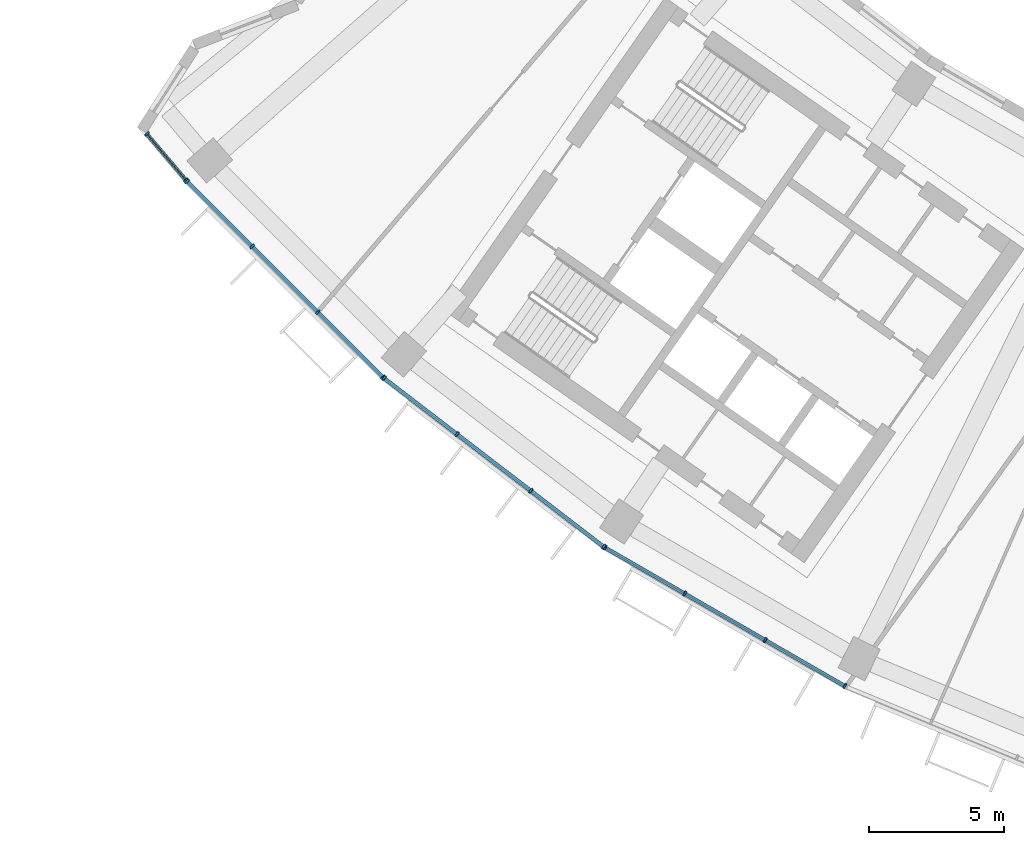
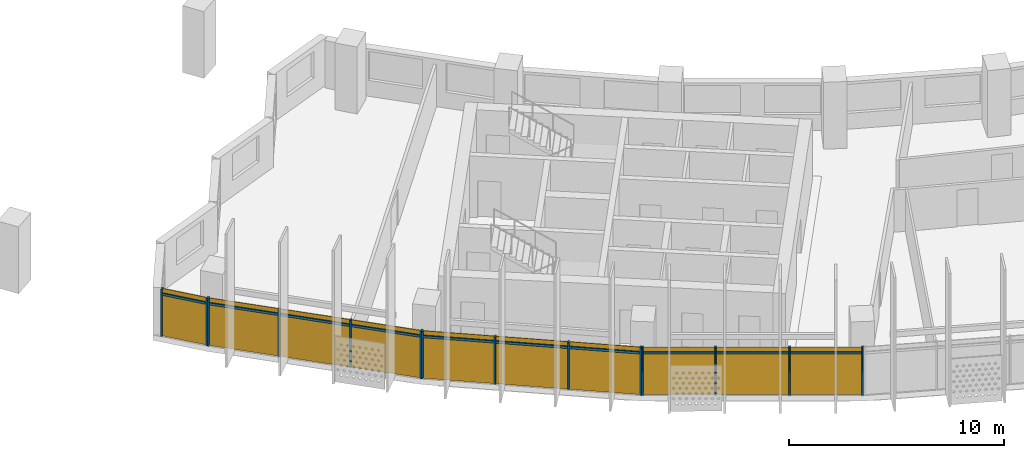
# One storey, part 17 of 27: 24 members, 4 curtain walls.
"""IFC4 building model written with IfcOpenShell, lengths in metres."""

from ifc_helpers import new_model, si_unit, direction, frame, origin, origin_2d, place, context, subcontext, project, spatial, rectangle, extrude, material, material_profile, profile_set, type_object, element, aggregate, save


model = new_model("IFC4")

# Units and contexts
model_context = context("Model", 3, precision=1e-05, world=origin(), true_north=direction((0.0, 1.0)))
body_context = subcontext(model_context, "Body", "Model", "MODEL_VIEW")
ifc_project = project(units=[si_unit("LENGTHUNIT", "METRE"), si_unit("AREAUNIT", "SQUARE_METRE"), si_unit("VOLUMEUNIT", "CUBIC_METRE"), si_unit("PLANEANGLEUNIT", "RADIAN"), si_unit("MASSUNIT", "GRAM", prefix="KILO")], contexts=[model_context])

# Member
ifc_material = material(Name="Aluminium 6063-T6 anodised", Category="aluminium")
ifc_material_profile_1 = material_profile(ifc_material, rectangle(XDim=0.199951171875, YDim=0.070068359375, at=origin_2d()))
ifc_profile_set_1 = profile_set([ifc_material_profile_1], Name="Aluminium 6063-T6 anodised")
member_type_1 = type_object("IfcMemberType", Name="Mullion 70 x 200 aluminium", PredefinedType="MULLION", material=ifc_profile_set_1)
site_placement = place(None, origin())
building_placement = place(site_placement, origin())
storey_placement = place(building_placement, frame((0.0, 0.0, 172.10009765625)))
member_1_placement = place(storey_placement, frame((-60.79296875, -50.283935546875, 0.0), z_axis=(0.0, 0.0, 1.0), x_axis=(0.762997443444, 0.646401501621, 0.0)))
member_1 = element("IfcMember", 1, at=member_1_placement, type_object=member_type_1, Name="e-cw1-L40-out00/M00", PredefinedType="MULLION", context=body_context, shape_type="SweptSolid", body=[
    extrude(rectangle(XDim=0.199951171875, YDim=0.070068359375, at=origin_2d()), origin(), (0.0, 0.0, 1.0), 2.699951171875),
])

member_2_placement = place(storey_placement, frame((-59.341552734375, -51.9970703125, 0.0), z_axis=(0.0, 0.0, 1.0), x_axis=(0.762997443444, 0.646401501621, 0.0)))
member_2 = element("IfcMember", 2, at=member_2_placement, type_object=member_type_1, Name="e-cw1-L40-out00/M01", PredefinedType="MULLION", context=body_context, shape_type="SweptSolid", body=[
    extrude(rectangle(XDim=0.199951171875, YDim=0.070068359375, at=origin_2d()), origin(), (0.0, 0.0, 1.0), 2.699951171875),
])

member_3_placement = place(storey_placement, frame((-59.2998046875, -52.042236328125, 0.0), z_axis=(0.0, 0.0, 1.0), x_axis=(0.707106781187, 0.707106781187, 0.0)))
member_3 = element("IfcMember", 3, at=member_3_placement, type_object=member_type_1, Name="e-cw1-L40-out01/M00", PredefinedType="MULLION", context=body_context, shape_type="SweptSolid", body=[
    extrude(rectangle(XDim=0.199951171875, YDim=0.070068359375, at=origin_2d()), origin(), (0.0, 0.0, 1.0), 2.699951171875),
])

member_4_placement = place(storey_placement, frame((-56.888916015625, -54.453369140625, 0.0), z_axis=(0.0, 0.0, 1.0), x_axis=(0.707106781187, 0.707106781187, 0.0)))
member_4 = element("IfcMember", 4, at=member_4_placement, type_object=member_type_1, Name="e-cw1-L40-out01/M01", PredefinedType="MULLION", context=body_context, shape_type="SweptSolid", body=[
    extrude(rectangle(XDim=0.199951171875, YDim=0.070068359375, at=origin_2d()), origin(), (0.0, 0.0, 1.0), 2.699951171875),
])

member_5_placement = place(storey_placement, frame((-54.453369140625, -56.888916015625, 0.0), z_axis=(0.0, 0.0, 1.0), x_axis=(0.707106781187, 0.707106781187, 0.0)))
member_5 = element("IfcMember", 5, at=member_5_placement, type_object=member_type_1, Name="e-cw1-L40-out01/M02", PredefinedType="MULLION", context=body_context, shape_type="SweptSolid", body=[
    extrude(rectangle(XDim=0.199951171875, YDim=0.070068359375, at=origin_2d()), origin(), (0.0, 0.0, 1.0), 2.699951171875),
])

member_6_placement = place(storey_placement, frame((-52.042236328125, -59.2998046875, 0.0), z_axis=(0.0, 0.0, 1.0), x_axis=(0.707106781187, 0.707106781187, 0.0)))
member_6 = element("IfcMember", 6, at=member_6_placement, type_object=member_type_1, Name="e-cw1-L40-out01/M03", PredefinedType="MULLION", context=body_context, shape_type="SweptSolid", body=[
    extrude(rectangle(XDim=0.199951171875, YDim=0.070068359375, at=origin_2d()), origin(), (0.0, 0.0, 1.0), 2.699951171875),
])

member_7_placement = place(storey_placement, frame((-51.999755859375, -59.33740234375, 0.0), z_axis=(0.0, 0.0, 1.0), x_axis=(0.608761429009, 0.793353340291, 0.0)))
member_7 = element("IfcMember", 7, at=member_7_placement, type_object=member_type_1, Name="e-cw1-L40-out02/M00", PredefinedType="MULLION", context=body_context, shape_type="SweptSolid", body=[
    extrude(rectangle(XDim=0.199951171875, YDim=0.070068359375, at=origin_2d()), origin(), (0.0, 0.0, 1.0), 2.699951171875),
])

member_8_placement = place(storey_placement, frame((-49.294677734375, -61.412841796875, 0.0), z_axis=(0.0, 0.0, 1.0), x_axis=(0.608761429009, 0.793353340291, 0.0)))
member_8 = element("IfcMember", 8, at=member_8_placement, type_object=member_type_1, Name="e-cw1-L40-out02/M01", PredefinedType="MULLION", context=body_context, shape_type="SweptSolid", body=[
    extrude(rectangle(XDim=0.199951171875, YDim=0.070068359375, at=origin_2d()), origin(), (0.0, 0.0, 1.0), 2.699951171875),
])

member_9_placement = place(storey_placement, frame((-46.56201171875, -63.509765625, 0.0), z_axis=(0.0, 0.0, 1.0), x_axis=(0.608761429009, 0.793353340291, 0.0)))
member_9 = element("IfcMember", 9, at=member_9_placement, type_object=member_type_1, Name="e-cw1-L40-out02/M02", PredefinedType="MULLION", context=body_context, shape_type="SweptSolid", body=[
    extrude(rectangle(XDim=0.199951171875, YDim=0.070068359375, at=origin_2d()), origin(), (0.0, 0.0, 1.0), 2.699951171875),
])

member_10_placement = place(storey_placement, frame((-43.85693359375, -65.58544921875, 0.0), z_axis=(0.0, 0.0, 1.0), x_axis=(0.608761429009, 0.793353340291, 0.0)))
member_10 = element("IfcMember", 10, at=member_10_placement, type_object=member_type_1, Name="e-cw1-L40-out02/M03", PredefinedType="MULLION", context=body_context, shape_type="SweptSolid", body=[
    extrude(rectangle(XDim=0.199951171875, YDim=0.070068359375, at=origin_2d()), origin(), (0.0, 0.0, 1.0), 2.699951171875),
])

member_11_placement = place(storey_placement, frame((-43.809814453125, -65.616943359375, 0.0), z_axis=(0.0, 0.0, 1.0), x_axis=(0.5, 0.866025403784, 0.0)))
member_11 = element("IfcMember", 11, at=member_11_placement, type_object=member_type_1, Name="e-cw1-L40-out03/M00", PredefinedType="MULLION", context=body_context, shape_type="SweptSolid", body=[
    extrude(rectangle(XDim=0.199951171875, YDim=0.070068359375, at=origin_2d()), origin(), (0.0, 0.0, 1.0), 2.699951171875),
])

member_12_placement = place(storey_placement, frame((-40.85693359375, -67.32177734375, 0.0), z_axis=(0.0, 0.0, 1.0), x_axis=(0.5, 0.866025403784, 0.0)))
member_12 = element("IfcMember", 12, at=member_12_placement, type_object=member_type_1, Name="e-cw1-L40-out03/M01", PredefinedType="MULLION", context=body_context, shape_type="SweptSolid", body=[
    extrude(rectangle(XDim=0.199951171875, YDim=0.070068359375, at=origin_2d()), origin(), (0.0, 0.0, 1.0), 2.699951171875),
])

member_13_placement = place(storey_placement, frame((-37.873779296875, -69.0439453125, 0.0), z_axis=(0.0, 0.0, 1.0), x_axis=(0.5, 0.866025403784, 0.0)))
member_13 = element("IfcMember", 13, at=member_13_placement, type_object=member_type_1, Name="e-cw1-L40-out03/M02", PredefinedType="MULLION", context=body_context, shape_type="SweptSolid", body=[
    extrude(rectangle(XDim=0.199951171875, YDim=0.070068359375, at=origin_2d()), origin(), (0.0, 0.0, 1.0), 2.699951171875),
])

member_14_placement = place(storey_placement, frame((-34.921142578125, -70.748779296875, 0.0), z_axis=(0.0, 0.0, 1.0), x_axis=(0.5, 0.866025403784, 0.0)))
member_14 = element("IfcMember", 14, at=member_14_placement, type_object=member_type_1, Name="e-cw1-L40-out03/M03", PredefinedType="MULLION", context=body_context, shape_type="SweptSolid", body=[
    extrude(rectangle(XDim=0.199951171875, YDim=0.070068359375, at=origin_2d()), origin(), (0.0, 0.0, 1.0), 2.699951171875),
])

ifc_material_profile_2 = material_profile(ifc_material, rectangle(XDim=0.139892578125, YDim=0.1201171875, at=origin_2d()))
ifc_profile_set_2 = profile_set([ifc_material_profile_2], Name="Aluminium 6063-T6 anodised")
member_type_2 = type_object("IfcMemberType", Name="Transom 120 x 140 aluminium", PredefinedType="USERDEFINED", material=ifc_profile_set_2)
member_15_placement = place(storey_placement, frame((-60.770263671875, -50.310791015625, 2.39990234375), z_axis=(0.646445288881, -0.762960345289, 0.0), x_axis=(0.762960345289, 0.646445288881, 0.0)))
member_15 = element("IfcMember", 15, at=member_15_placement, type_object=member_type_2, Name="e-cw1-L40-out00/T00", ObjectType="TRANSOM", PredefinedType="USERDEFINED", context=body_context, shape_type="SweptSolid", body=[
    extrude(rectangle(XDim=0.139892578125, YDim=0.1201171875, at=origin_2d()), origin(), (0.0, 0.0, 1.0), 2.175048828125),
])

member_16_placement = place(storey_placement, frame((-59.275146484375, -52.067138671875, 2.39990234375), z_axis=(0.707106781187, -0.707106781187, 0.0), x_axis=(0.707106781187, 0.707106781187, 0.0)))
member_16 = element("IfcMember", 16, at=member_16_placement, type_object=member_type_2, Name="e-cw1-L40-out01/T00", ObjectType="TRANSOM", PredefinedType="USERDEFINED", context=body_context, shape_type="SweptSolid", body=[
    extrude(rectangle(XDim=0.139892578125, YDim=0.1201171875, at=origin_2d()), origin(), (0.0, 0.0, 1.0), 3.33935546875),
])

member_17_placement = place(storey_placement, frame((-56.8642578125, -54.47802734375, 2.39990234375), z_axis=(0.707106781187, -0.707106781187, 0.0), x_axis=(0.707106781187, 0.707106781187, 0.0)))
member_17 = element("IfcMember", 17, at=member_17_placement, type_object=member_type_2, Name="e-cw1-L40-out01/T01", ObjectType="TRANSOM", PredefinedType="USERDEFINED", context=body_context, shape_type="SweptSolid", body=[
    extrude(rectangle(XDim=0.139892578125, YDim=0.1201171875, at=origin_2d()), origin(), (0.0, 0.0, 1.0), 3.374755859375),
])

member_18_placement = place(storey_placement, frame((-54.428466796875, -56.913818359375, 2.39990234375), z_axis=(0.707106781187, -0.707106781187, 0.0), x_axis=(0.707106781187, 0.707106781187, 0.0)))
member_18 = element("IfcMember", 18, at=member_18_placement, type_object=member_type_2, Name="e-cw1-L40-out01/T02", ObjectType="TRANSOM", PredefinedType="USERDEFINED", context=body_context, shape_type="SweptSolid", body=[
    extrude(rectangle(XDim=0.139892578125, YDim=0.1201171875, at=origin_2d()), origin(), (0.0, 0.0, 1.0), 3.33935546875),
])

member_19_placement = place(storey_placement, frame((-51.971923828125, -59.358642578125, 2.39990234375), z_axis=(0.793354486861, -0.608759934767, 0.0), x_axis=(0.608759934767, 0.793354486861, 0.0)))
member_19 = element("IfcMember", 19, at=member_19_placement, type_object=member_type_2, Name="e-cw1-L40-out02/T00", ObjectType="TRANSOM", PredefinedType="USERDEFINED", context=body_context, shape_type="SweptSolid", body=[
    extrude(rectangle(XDim=0.139892578125, YDim=0.1201171875, at=origin_2d()), origin(), (0.0, 0.0, 1.0), 3.339599609375),
])

member_20_placement = place(storey_placement, frame((-49.266845703125, -61.434326171875, 2.39990234375), z_axis=(0.793371081522, -0.608738307489, 0.0), x_axis=(0.608738307489, 0.793371081522, 0.0)))
member_20 = element("IfcMember", 20, at=member_20_placement, type_object=member_type_2, Name="e-cw1-L40-out02/T01", ObjectType="TRANSOM", PredefinedType="USERDEFINED", context=body_context, shape_type="SweptSolid", body=[
    extrude(rectangle(XDim=0.139892578125, YDim=0.1201171875, at=origin_2d()), origin(), (0.0, 0.0, 1.0), 3.37451171875),
])

member_21_placement = place(storey_placement, frame((-46.5341796875, -63.53125, 2.39990234375), z_axis=(0.793354486861, -0.608759934767, 0.0), x_axis=(0.608759934767, 0.793354486861, 0.0)))
member_21 = element("IfcMember", 21, at=member_21_placement, type_object=member_type_2, Name="e-cw1-L40-out02/T02", ObjectType="TRANSOM", PredefinedType="USERDEFINED", context=body_context, shape_type="SweptSolid", body=[
    extrude(rectangle(XDim=0.139892578125, YDim=0.1201171875, at=origin_2d()), origin(), (0.0, 0.0, 1.0), 3.339599609375),
])

member_22_placement = place(storey_placement, frame((-43.779541015625, -65.634521484375, 2.39990234375), z_axis=(0.866052898888, -0.49995237406, 0.0), x_axis=(0.49995237406, 0.866052898888, 0.0)))
member_22 = element("IfcMember", 22, at=member_22_placement, type_object=member_type_2, Name="e-cw1-L40-out03/T00", ObjectType="TRANSOM", PredefinedType="USERDEFINED", context=body_context, shape_type="SweptSolid", body=[
    extrude(rectangle(XDim=0.139892578125, YDim=0.1201171875, at=origin_2d()), origin(), (0.0, 0.0, 1.0), 3.339599609375),
])

member_23_placement = place(storey_placement, frame((-40.82666015625, -67.33935546875, 2.39990234375), z_axis=(0.86602172966, -0.500006363716, 0.0), x_axis=(0.500006363716, 0.86602172966, 0.0)))
member_23 = element("IfcMember", 23, at=member_23_placement, type_object=member_type_2, Name="e-cw1-L40-out03/T01", ObjectType="TRANSOM", PredefinedType="USERDEFINED", context=body_context, shape_type="SweptSolid", body=[
    extrude(rectangle(XDim=0.139892578125, YDim=0.1201171875, at=origin_2d()), origin(), (0.0, 0.0, 1.0), 3.37451171875),
])

member_24_placement = place(storey_placement, frame((-37.843505859375, -69.0615234375, 2.39990234375), z_axis=(0.866002968352, -0.500038857296, 0.0), x_axis=(0.500038857296, 0.866002968352, 0.0)))
member_24 = element("IfcMember", 24, at=member_24_placement, type_object=member_type_2, Name="e-cw1-L40-out03/T02", ObjectType="TRANSOM", PredefinedType="USERDEFINED", context=body_context, shape_type="SweptSolid", body=[
    extrude(rectangle(XDim=0.139892578125, YDim=0.1201171875, at=origin_2d()), origin(), (0.0, 0.0, 1.0), 3.339599609375),
])

# Site, building, storey
site = spatial("IfcSite", under=ifc_project, at=site_placement, CompositionType="ELEMENT")
building = spatial("IfcBuilding", under=site, at=building_placement, Name="Qamariyya Broadcast Tower", CompositionType="ELEMENT")
storey = spatial("IfcBuildingStorey", under=building, at=storey_placement, Name="L40", CompositionType="ELEMENT", Elevation=172.10009765625)

# Curtain wall
curtain_wall_type = type_object("IfcCurtainWallType", Name="Unitised curtain wall, anodised aluminium", PredefinedType="NOTDEFINED", material=ifc_material)
curtain_wall_1_placement = place(storey_placement, origin())
curtain_wall_1 = element("IfcCurtainWall", 25, at=curtain_wall_1_placement, inside=storey, type_object=curtain_wall_type, Name="e-cw1-L40-out00", PredefinedType="NOTDEFINED", context=body_context, shape_type="SweptSolid", body=[
    extrude(rectangle(XDim=2.175048828125, YDim=0.031982421875, at=origin_2d()), frame((-60.0673828125, -51.140625, 0.0), x_axis=(0.646377076781, -0.763018135179, 0.0)), (0.0, 0.0, 1.0), 2.340087890625),
    extrude(rectangle(XDim=2.175048828125, YDim=0.031982421875, at=origin_2d()), frame((-60.0673828125, -51.140625, 2.4599609375), x_axis=(0.646377076781, -0.763018135179, 0.0)), (0.0, 0.0, 1.0), 0.239990234375),
])

aggregate(curtain_wall_1, [member_1, member_2, member_15])

curtain_wall_2_placement = place(storey_placement, origin())
curtain_wall_2 = element("IfcCurtainWall", 26, at=curtain_wall_2_placement, inside=storey, type_object=curtain_wall_type, Name="e-cw1-L40-out01", PredefinedType="NOTDEFINED", context=body_context, shape_type="SweptSolid", body=[
    extrude(rectangle(XDim=3.339599609375, YDim=0.031982421875, at=origin_2d()), frame((-58.094482421875, -53.247802734375, 0.0), x_axis=(0.707106781187, -0.707106781187, 0.0)), (0.0, 0.0, 1.0), 2.340087890625),
    extrude(rectangle(XDim=3.339599609375, YDim=0.031982421875, at=origin_2d()), frame((-58.094482421875, -53.247802734375, 2.4599609375), x_axis=(0.707106781187, -0.707106781187, 0.0)), (0.0, 0.0, 1.0), 0.239990234375),
    extrude(rectangle(XDim=3.37451171875, YDim=0.031982421875, at=origin_2d()), frame((-55.671142578125, -55.671142578125, 0.0), x_axis=(0.707106781187, -0.707106781187, 0.0)), (0.0, 0.0, 1.0), 2.340087890625),
    extrude(rectangle(XDim=3.37451171875, YDim=0.031982421875, at=origin_2d()), frame((-55.671142578125, -55.671142578125, 2.4599609375), x_axis=(0.707106781187, -0.707106781187, 0.0)), (0.0, 0.0, 1.0), 0.239990234375),
    extrude(rectangle(XDim=3.339599609375, YDim=0.031982421875, at=origin_2d()), frame((-53.247802734375, -58.094482421875, 0.0), x_axis=(0.707106781187, -0.707106781187, 0.0)), (0.0, 0.0, 1.0), 2.340087890625),
    extrude(rectangle(XDim=3.339599609375, YDim=0.031982421875, at=origin_2d()), frame((-53.247802734375, -58.094482421875, 2.4599609375), x_axis=(0.707106781187, -0.707106781187, 0.0)), (0.0, 0.0, 1.0), 0.239990234375),
])

aggregate(curtain_wall_2, [member_3, member_4, member_5, member_6, member_16, member_17, member_18])

curtain_wall_3_placement = place(storey_placement, origin())
curtain_wall_3 = element("IfcCurtainWall", 27, at=curtain_wall_3_placement, inside=storey, type_object=curtain_wall_type, Name="e-cw1-L40-out02", PredefinedType="NOTDEFINED", context=body_context, shape_type="SweptSolid", body=[
    extrude(rectangle(XDim=3.339599609375, YDim=0.031982421875, at=origin_2d()), frame((-50.64697265625, -60.375, 0.0), x_axis=(0.793351517557, -0.608763804434, 0.0)), (0.0, 0.0, 1.0), 2.340087890625),
    extrude(rectangle(XDim=3.339599609375, YDim=0.031982421875, at=origin_2d()), frame((-50.64697265625, -60.375, 2.4599609375), x_axis=(0.793351517557, -0.608763804434, 0.0)), (0.0, 0.0, 1.0), 0.239990234375),
    extrude(rectangle(XDim=3.37451171875, YDim=0.031982421875, at=origin_2d()), frame((-47.92822265625, -62.46142578125, 0.0), x_axis=(0.793351517557, -0.608763804434, 0.0)), (0.0, 0.0, 1.0), 2.340087890625),
    extrude(rectangle(XDim=3.37451171875, YDim=0.031982421875, at=origin_2d()), frame((-47.92822265625, -62.46142578125, 2.4599609375), x_axis=(0.793351517557, -0.608763804434, 0.0)), (0.0, 0.0, 1.0), 0.239990234375),
    extrude(rectangle(XDim=3.339599609375, YDim=0.031982421875, at=origin_2d()), frame((-45.20947265625, -64.547607421875, 0.0), x_axis=(0.793351517557, -0.608763804434, 0.0)), (0.0, 0.0, 1.0), 2.340087890625),
    extrude(rectangle(XDim=3.339599609375, YDim=0.031982421875, at=origin_2d()), frame((-45.20947265625, -64.547607421875, 2.4599609375), x_axis=(0.793351517557, -0.608763804434, 0.0)), (0.0, 0.0, 1.0), 0.239990234375),
])

aggregate(curtain_wall_3, [member_7, member_8, member_9, member_10, member_19, member_20, member_21])

curtain_wall_4_placement = place(storey_placement, origin())
curtain_wall_4 = element("IfcCurtainWall", 28, at=curtain_wall_4_placement, inside=storey, type_object=curtain_wall_type, Name="e-cw1-L40-out03", PredefinedType="NOTDEFINED", context=body_context, shape_type="SweptSolid", body=[
    extrude(rectangle(XDim=3.339599609375, YDim=0.031982421875, at=origin_2d()), frame((-42.33349609375, -66.469482421875, 0.0), x_axis=(0.866028999376, -0.499993772201, 0.0)), (0.0, 0.0, 1.0), 2.340087890625),
    extrude(rectangle(XDim=3.339599609375, YDim=0.031982421875, at=origin_2d()), frame((-42.33349609375, -66.469482421875, 2.4599609375), x_axis=(0.866028999376, -0.499993772201, 0.0)), (0.0, 0.0, 1.0), 0.239990234375),
    extrude(rectangle(XDim=3.37451171875, YDim=0.031982421875, at=origin_2d()), frame((-39.365478515625, -68.18310546875, 0.0), x_axis=(0.866028999376, -0.499993772201, 0.0)), (0.0, 0.0, 1.0), 2.340087890625),
    extrude(rectangle(XDim=3.37451171875, YDim=0.031982421875, at=origin_2d()), frame((-39.365478515625, -68.18310546875, 2.4599609375), x_axis=(0.866028999376, -0.499993772201, 0.0)), (0.0, 0.0, 1.0), 0.239990234375),
    extrude(rectangle(XDim=3.339599609375, YDim=0.031982421875, at=origin_2d()), frame((-36.3974609375, -69.896484375, 0.0), x_axis=(0.866028999376, -0.499993772201, 0.0)), (0.0, 0.0, 1.0), 2.340087890625),
    extrude(rectangle(XDim=3.339599609375, YDim=0.031982421875, at=origin_2d()), frame((-36.3974609375, -69.896484375, 2.4599609375), x_axis=(0.866028999376, -0.499993772201, 0.0)), (0.0, 0.0, 1.0), 0.239990234375),
])

aggregate(curtain_wall_4, [member_11, member_12, member_13, member_14, member_22, member_23, member_24])

save(model, "model.ifc")
